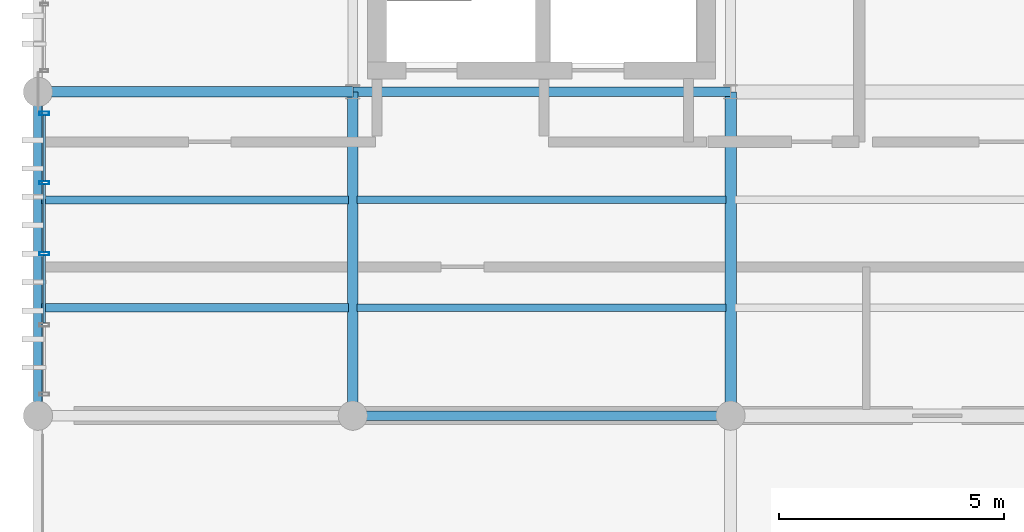
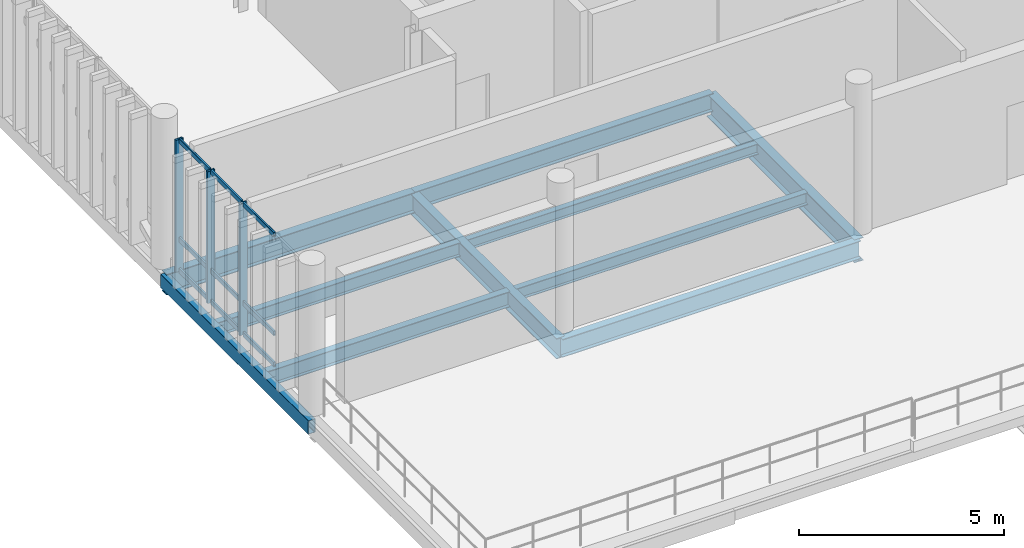
# One storey, part 7 of 66: 12 members, 10 beams, 1 element without a shape of its own.
"""IFC4 building model written with IfcOpenShell, lengths in metres."""

from ifc_helpers import new_model, si_unit, direction, frame, origin_with_axes, origin_2d_with_axis, place, context, subcontext, project, spatial, hollow_rectangle, i_section, extrude, material, material_profile, profile_set, type_object, element, aggregate, save


model = new_model("IFC4")

# Units and contexts
model_context = context("Model", 3, precision=1e-05, world=origin_with_axes(), true_north=direction((0.0, 1.0)))
body_context = subcontext(model_context, "Body", "Model", "MODEL_VIEW")
ifc_project = project(units=[si_unit("LENGTHUNIT", "METRE"), si_unit("AREAUNIT", "SQUARE_METRE"), si_unit("VOLUMEUNIT", "CUBIC_METRE"), si_unit("PLANEANGLEUNIT", "RADIAN"), si_unit("MASSUNIT", "GRAM", prefix="KILO"), si_unit("THERMODYNAMICTEMPERATUREUNIT", "KELVIN")], contexts=[model_context])

# Site, building, storey
site_placement = place(None, origin_with_axes())
site = spatial("IfcSite", under=ifc_project, at=site_placement, CompositionType="ELEMENT")
building_placement = place(site_placement, origin_with_axes())
building = spatial("IfcBuilding", under=site, at=building_placement, Name="Montbau Bow Law Courts", CompositionType="ELEMENT")
storey_placement = place(building_placement, frame((0.0, 0.0, 34.5), z_axis=(0.0, 0.0, 1.0), x_axis=(1.0, 0.0, 0.0)))
storey = spatial("IfcBuildingStorey", under=building, at=storey_placement, Name="L07", CompositionType="ELEMENT", Elevation=34.5)

# Beams
ifc_material_1 = material(Name="Steel CSA G40.21 Grade 350W (350 MPa)", Category="steel")
ifc_material_profile_1 = material_profile(ifc_material_1, i_section(OverallWidth=0.254, OverallDepth=0.688, WebThickness=0.0131, FlangeThickness=0.0211, at=origin_2d_with_axis()), Name="W690X152", Category="Main", Priority=0)
ifc_profile_set_1 = profile_set([ifc_material_profile_1], Name="Steel CSA G40.21 Grade 350W (350 MPa)")
beam_type_1 = type_object("IfcBeamType", Name="B-FLR-04", PredefinedType="BEAM", material=ifc_profile_set_1)
beam_1_placement = place(None, frame((22.2, 39.0, 33.836), z_axis=(0.0, 1.0, 0.0), x_axis=(-1.0, 0.0, 0.0)))
element("IfcBeam", 1, at=beam_1_placement, inside=storey, type_object=beam_type_1, Name="BM-L07-S0746:bm2_0749", PredefinedType="BEAM", context=body_context, shape_type="SweptSolid", body=[
    extrude(i_section(OverallWidth=0.254, OverallDepth=0.688, WebThickness=0.0131, FlangeThickness=0.0211, at=origin_2d_with_axis()), origin_with_axes(), (0.0, 0.0, 1.0), 7.2),
])
ifc_material_profile_2 = material_profile(ifc_material_1, i_section(OverallWidth=0.229, OverallDepth=0.612, WebThickness=0.0119, FlangeThickness=0.0196, at=origin_2d_with_axis()), Name="W610X125", Category="Main", Priority=0)
ifc_profile_set_2 = profile_set([ifc_material_profile_2], Name="Steel CSA G40.21 Grade 350W (350 MPa)")
beam_type_2 = type_object("IfcBeamType", Name="B-FLR-05", PredefinedType="BEAM", material=ifc_profile_set_2)
beam_2_placement = place(None, frame((6.8, 46.2, 33.894), z_axis=(1.0, 0.0, 0.0), x_axis=(0.0, 1.0, 0.0)))
element("IfcBeam", 2, at=beam_2_placement, inside=storey, type_object=beam_type_2, Name="BM-L07-S0723:bm2_0726", PredefinedType="BEAM", context=body_context, shape_type="SweptSolid", body=[
    extrude(i_section(OverallWidth=0.229, OverallDepth=0.612, WebThickness=0.0119, FlangeThickness=0.0196, at=origin_2d_with_axis()), origin_with_axes(), (0.0, 0.0, 1.0), 7.0),
])
beam_3_placement = place(None, frame((13.8, 39.0, 33.874), z_axis=(0.0, 1.0, 0.0), x_axis=(-1.0, 0.0, 0.0)))
element("IfcBeam", 3, at=beam_3_placement, inside=storey, type_object=beam_type_2, Name="BM-L07-S0742:bm2_0745", PredefinedType="BEAM", context=body_context, shape_type="SweptSolid", body=[
    extrude(i_section(OverallWidth=0.229, OverallDepth=0.612, WebThickness=0.0119, FlangeThickness=0.0196, at=origin_2d_with_axis()), origin_with_axes(), (0.0, 0.0, 1.0), 7.2),
])
ifc_material_profile_3 = material_profile(ifc_material_1, i_section(OverallWidth=0.21, OverallDepth=0.537, WebThickness=0.0109, FlangeThickness=0.0174, at=origin_2d_with_axis()), Name="W530X101", Category="Main", Priority=0)
ifc_profile_set_3 = profile_set([ifc_material_profile_3], Name="Steel CSA G40.21 Grade 350W (350 MPa)")
beam_type_3 = type_object("IfcBeamType", Name="B-FLR-06", PredefinedType="BEAM", material=ifc_profile_set_3)
for number, where, z_axis, x_axis, name in (
    (4, (13.8, 39.0, 33.911), (1.0, 0.0, 0.0), (0.0, 1.0, 0.0), "BM-L07-S0719:bm2_0722"),
    (5, (13.8, 46.2, 33.931), (1.0, 0.0, 0.0), (0.0, 1.0, 0.0), "BM-L07-S0724:bm2_0727"),
):
    element("IfcBeam", number, at=place(None, frame(where, z_axis=z_axis, x_axis=x_axis)), inside=storey, type_object=beam_type_3, Name=name, PredefinedType="BEAM", context=body_context, shape_type="SweptSolid", body=[
        extrude(i_section(OverallWidth=0.21, OverallDepth=0.537, WebThickness=0.0109, FlangeThickness=0.0174, at=origin_2d_with_axis()), origin_with_axes(), (0.0, 0.0, 1.0), 8.4),
    ])
ifc_material_profile_4 = material_profile(ifc_material_1, i_section(OverallWidth=0.191, OverallDepth=0.46, WebThickness=0.0099, FlangeThickness=0.016, at=origin_2d_with_axis()), Name="W460X82", Category="Main", Priority=0)
ifc_profile_set_4 = profile_set([ifc_material_profile_4], Name="Steel CSA G40.21 Grade 350W (350 MPa)")
beam_type_4 = type_object("IfcBeamType", Name="B-JST-01", PredefinedType="JOIST", material=ifc_profile_set_4)
beam_4_placement = place(None, frame((6.88, 41.4, 33.95), z_axis=(1.0, 0.0, 0.0), x_axis=(0.0, 1.0, 0.0)))
element("IfcBeam", 6, at=beam_4_placement, inside=storey, type_object=beam_type_4, Name="JST-L07-S0360:jst2_0360", PredefinedType="JOIST", context=body_context, shape_type="SweptSolid", body=[
    extrude(i_section(OverallWidth=0.191, OverallDepth=0.46, WebThickness=0.0099, FlangeThickness=0.016, at=origin_2d_with_axis()), origin_with_axes(), (0.0, 0.0, 1.0), 6.83),
])
ifc_material_profile_5 = material_profile(ifc_material_1, i_section(OverallWidth=0.179, OverallDepth=0.41, WebThickness=0.0088, FlangeThickness=0.0144, at=origin_2d_with_axis()), Name="W410X67", Category="Main", Priority=0)
ifc_profile_set_5 = profile_set([ifc_material_profile_5], Name="Steel CSA G40.21 Grade 350W (350 MPa)")
beam_type_5 = type_object("IfcBeamType", Name="B-JST-02", PredefinedType="JOIST", material=ifc_profile_set_5)
beam_5_placement = place(None, frame((6.88, 43.8, 33.975), z_axis=(1.0, 0.0, 0.0), x_axis=(0.0, 1.0, 0.0)))
element("IfcBeam", 7, at=beam_5_placement, inside=storey, type_object=beam_type_5, Name="JST-L07-S0361:jst2_0361", PredefinedType="JOIST", context=body_context, shape_type="SweptSolid", body=[
    extrude(i_section(OverallWidth=0.179, OverallDepth=0.41, WebThickness=0.0088, FlangeThickness=0.0144, at=origin_2d_with_axis()), origin_with_axes(), (0.0, 0.0, 1.0), 6.83),
])
ifc_material_profile_6 = material_profile(ifc_material_1, i_section(OverallWidth=0.172, OverallDepth=0.358, WebThickness=0.0079, FlangeThickness=0.0131, at=origin_2d_with_axis()), Name="W360X57", Category="Main", Priority=0)
ifc_profile_set_6 = profile_set([ifc_material_profile_6], Name="Steel CSA G40.21 Grade 350W (350 MPa)")
beam_type_6 = type_object("IfcBeamType", Name="B-JST-03", PredefinedType="JOIST", material=ifc_profile_set_6)
beam_6_placement = place(None, frame((13.891, 41.4, 34.001), z_axis=(1.0, 0.0, 0.0), x_axis=(0.0, 1.0, 0.0)))
element("IfcBeam", 8, at=beam_6_placement, inside=storey, type_object=beam_type_6, Name="JST-L07-S0366:jst2_0366", PredefinedType="JOIST", context=body_context, shape_type="SweptSolid", body=[
    extrude(i_section(OverallWidth=0.172, OverallDepth=0.358, WebThickness=0.0079, FlangeThickness=0.0131, at=origin_2d_with_axis()), origin_with_axes(), (0.0, 0.0, 1.0), 8.206),
])
ifc_material_profile_7 = material_profile(ifc_material_1, i_section(OverallWidth=0.166, OverallDepth=0.313, WebThickness=0.0066, FlangeThickness=0.0112, at=origin_2d_with_axis()), Name="W310X45", Category="Main", Priority=0)
ifc_profile_set_7 = profile_set([ifc_material_profile_7], Name="Steel CSA G40.21 Grade 350W (350 MPa)")
beam_type_7 = type_object("IfcBeamType", Name="B-JST-04", PredefinedType="JOIST", material=ifc_profile_set_7)
beam_7_placement = place(None, frame((13.891, 43.8, 34.023), z_axis=(1.0, 0.0, 0.0), x_axis=(0.0, 1.0, 0.0)))
element("IfcBeam", 9, at=beam_7_placement, inside=storey, type_object=beam_type_7, Name="JST-L07-S0367:jst2_0367", PredefinedType="JOIST", context=body_context, shape_type="SweptSolid", body=[
    extrude(i_section(OverallWidth=0.166, OverallDepth=0.313, WebThickness=0.0066, FlangeThickness=0.0112, at=origin_2d_with_axis()), origin_with_axes(), (0.0, 0.0, 1.0), 8.206),
])
ifc_material_2 = material(Name="Steel CSA G40.21 Grade 350WT (350 MPa)", Category="steel")
ifc_material_profile_8 = material_profile(ifc_material_2, hollow_rectangle(XDim=0.203, YDim=0.406, WallThickness=0.0127, InnerFilletRadius=0.0254, OuterFilletRadius=0.0127, at=origin_2d_with_axis()), Name="HSS406X203X13", Category="Main", Priority=0)
ifc_profile_set_8 = profile_set([ifc_material_profile_8], Name="Steel CSA G40.21 Grade 350WT (350 MPa)")
beam_type_8 = type_object("IfcBeamType", Name="B-SPN-01", PredefinedType="SPANDREL", material=ifc_profile_set_8)
beam_8_placement = place(None, frame((6.8, 39.0, 33.977), z_axis=(0.0, 1.0, 0.0), x_axis=(-1.0, 0.0, 0.0)))
element("IfcBeam", 10, at=beam_8_placement, inside=storey, type_object=beam_type_8, Name="SPN-L07-S0739:bm2_0742", PredefinedType="SPANDREL", context=body_context, shape_type="SweptSolid", body=[
    extrude(hollow_rectangle(XDim=0.203, YDim=0.406, WallThickness=0.0127, InnerFilletRadius=0.0254, OuterFilletRadius=0.0127, at=origin_2d_with_axis()), origin_with_axes(), (0.0, 0.0, 1.0), 7.2),
])

# Curtain wall, members
ifc_material_3 = material(Name="Thermally Broken Extruded Aluminium AA 6063-T6", Category="aluminium")
curtain_wall_type = type_object("IfcCurtainWallType", Name="CW-TRC-02", PredefinedType="NOTDEFINED", material=ifc_material_3)
curtain_wall_placement = place(None, frame((6.94, 39.44, 34.5), z_axis=(0.0, 0.0, 1.0), x_axis=(1.0, 0.0, 0.0)))
curtain_wall = element("IfcCurtainWall", 11, at=curtain_wall_placement, inside=storey, type_object=curtain_wall_type, Name="CW-L07-117:cw_0117", PredefinedType="NOTDEFINED")
ifc_material_profile_9 = material_profile(ifc_material_3, hollow_rectangle(XDim=0.075, YDim=0.22, WallThickness=0.005, InnerFilletRadius=0.01, OuterFilletRadius=0.005, at=origin_2d_with_axis()), Name="CWM-220X75", Category="Main", Priority=0)
ifc_profile_set_9 = profile_set([ifc_material_profile_9], Name="Thermally Broken Extruded Aluminium AA 6063-T6")
member_type_1 = type_object("IfcMemberType", Name="M-MUL-01", PredefinedType="MULLION", material=ifc_profile_set_9)
member_1_placement = place(None, frame((6.94, 42.6, 34.5), z_axis=(0.0, 0.0, 1.0), x_axis=(0.0, 1.0, 0.0)))
member_1 = element("IfcMember", 12, at=member_1_placement, type_object=member_type_1, Name="CW-L07-117-M03:cw_0117_M03", PredefinedType="MULLION", context=body_context, shape_type="SweptSolid", body=[
    extrude(hollow_rectangle(XDim=0.075, YDim=0.22, WallThickness=0.005, InnerFilletRadius=0.01, OuterFilletRadius=0.005, at=origin_2d_with_axis()), origin_with_axes(), (0.0, 0.0, 1.0), 3.92),
])
member_2_placement = place(None, frame((6.94, 44.18, 34.5), z_axis=(0.0, 0.0, 1.0), x_axis=(0.0, 1.0, 0.0)))
member_2 = element("IfcMember", 13, at=member_2_placement, type_object=member_type_1, Name="CW-L07-117-M04:cw_0117_M04", PredefinedType="MULLION", context=body_context, shape_type="SweptSolid", body=[
    extrude(hollow_rectangle(XDim=0.075, YDim=0.22, WallThickness=0.005, InnerFilletRadius=0.01, OuterFilletRadius=0.005, at=origin_2d_with_axis()), origin_with_axes(), (0.0, 0.0, 1.0), 3.92),
])
member_3_placement = place(None, frame((6.94, 45.723, 34.5), z_axis=(0.0, 0.0, 1.0), x_axis=(0.0, 1.0, 0.0)))
member_3 = element("IfcMember", 14, at=member_3_placement, type_object=member_type_1, Name="CW-L07-117-M05:cw_0117_M05", PredefinedType="MULLION", context=body_context, shape_type="SweptSolid", body=[
    extrude(hollow_rectangle(XDim=0.075, YDim=0.22, WallThickness=0.005, InnerFilletRadius=0.01, OuterFilletRadius=0.005, at=origin_2d_with_axis()), origin_with_axes(), (0.0, 0.0, 1.0), 3.92),
])
ifc_material_profile_10 = material_profile(ifc_material_3, hollow_rectangle(XDim=0.055, YDim=0.14, WallThickness=0.004, InnerFilletRadius=0.008, OuterFilletRadius=0.004, at=origin_2d_with_axis()), Name="CWT-140X55", Category="Main", Priority=0)
ifc_profile_set_10 = profile_set([ifc_material_profile_10], Name="Thermally Broken Extruded Aluminium AA 6063-T6")
member_type_2 = type_object("IfcMemberType", Name="M-TRN-02", PredefinedType="USERDEFINED", material=ifc_profile_set_10)
member_4_placement = place(None, frame((6.94, 41.06, 34.528), z_axis=(0.0, 1.0, 0.0), x_axis=(-1.0, 0.0, 0.0)))
member_4 = element("IfcMember", 15, at=member_4_placement, type_object=member_type_2, Name="CW-L07-117-T02-1:cw_0117_T02_1", ObjectType="TRANSOM", PredefinedType="USERDEFINED", context=body_context, shape_type="SweptSolid", body=[
    extrude(hollow_rectangle(XDim=0.055, YDim=0.14, WallThickness=0.004, InnerFilletRadius=0.008, OuterFilletRadius=0.004, at=origin_2d_with_axis()), origin_with_axes(), (0.0, 0.0, 1.0), 1.501),
])
member_5_placement = place(None, frame((6.94, 41.06, 35.45), z_axis=(0.0, 1.0, 0.0), x_axis=(-1.0, 0.0, 0.0)))
member_5 = element("IfcMember", 16, at=member_5_placement, type_object=member_type_2, Name="CW-L07-117-T02-2:cw_0117_T02_2", ObjectType="TRANSOM", PredefinedType="USERDEFINED", context=body_context, shape_type="SweptSolid", body=[
    extrude(hollow_rectangle(XDim=0.055, YDim=0.14, WallThickness=0.004, InnerFilletRadius=0.008, OuterFilletRadius=0.004, at=origin_2d_with_axis()), origin_with_axes(), (0.0, 0.0, 1.0), 1.501),
])
member_6_placement = place(None, frame((6.94, 41.06, 38.392), z_axis=(0.0, 1.0, 0.0), x_axis=(-1.0, 0.0, 0.0)))
member_6 = element("IfcMember", 17, at=member_6_placement, type_object=member_type_2, Name="CW-L07-117-T02-3:cw_0117_T02_3", ObjectType="TRANSOM", PredefinedType="USERDEFINED", context=body_context, shape_type="SweptSolid", body=[
    extrude(hollow_rectangle(XDim=0.055, YDim=0.14, WallThickness=0.004, InnerFilletRadius=0.008, OuterFilletRadius=0.004, at=origin_2d_with_axis()), origin_with_axes(), (0.0, 0.0, 1.0), 1.501),
])
member_7_placement = place(None, frame((6.94, 42.64, 34.528), z_axis=(0.0, 1.0, 0.0), x_axis=(-1.0, 0.0, 0.0)))
member_7 = element("IfcMember", 18, at=member_7_placement, type_object=member_type_2, Name="CW-L07-117-T03-1:cw_0117_T03_1", ObjectType="TRANSOM", PredefinedType="USERDEFINED", context=body_context, shape_type="SweptSolid", body=[
    extrude(hollow_rectangle(XDim=0.055, YDim=0.14, WallThickness=0.004, InnerFilletRadius=0.008, OuterFilletRadius=0.004, at=origin_2d_with_axis()), origin_with_axes(), (0.0, 0.0, 1.0), 1.501),
])
member_8_placement = place(None, frame((6.94, 42.64, 35.45), z_axis=(0.0, 1.0, 0.0), x_axis=(-1.0, 0.0, 0.0)))
member_8 = element("IfcMember", 19, at=member_8_placement, type_object=member_type_2, Name="CW-L07-117-T03-2:cw_0117_T03_2", ObjectType="TRANSOM", PredefinedType="USERDEFINED", context=body_context, shape_type="SweptSolid", body=[
    extrude(hollow_rectangle(XDim=0.055, YDim=0.14, WallThickness=0.004, InnerFilletRadius=0.008, OuterFilletRadius=0.004, at=origin_2d_with_axis()), origin_with_axes(), (0.0, 0.0, 1.0), 1.501),
])
member_9_placement = place(None, frame((6.94, 42.64, 38.392), z_axis=(0.0, 1.0, 0.0), x_axis=(-1.0, 0.0, 0.0)))
member_9 = element("IfcMember", 20, at=member_9_placement, type_object=member_type_2, Name="CW-L07-117-T03-3:cw_0117_T03_3", ObjectType="TRANSOM", PredefinedType="USERDEFINED", context=body_context, shape_type="SweptSolid", body=[
    extrude(hollow_rectangle(XDim=0.055, YDim=0.14, WallThickness=0.004, InnerFilletRadius=0.008, OuterFilletRadius=0.004, at=origin_2d_with_axis()), origin_with_axes(), (0.0, 0.0, 1.0), 1.501),
])
member_10_placement = place(None, frame((6.94, 44.219, 34.528), z_axis=(0.0, 1.0, 0.0), x_axis=(-1.0, 0.0, 0.0)))
member_10 = element("IfcMember", 21, at=member_10_placement, type_object=member_type_2, Name="CW-L07-117-T04-1:cw_0117_T04_1", ObjectType="TRANSOM", PredefinedType="USERDEFINED", context=body_context, shape_type="SweptSolid", body=[
    extrude(hollow_rectangle(XDim=0.055, YDim=0.14, WallThickness=0.004, InnerFilletRadius=0.008, OuterFilletRadius=0.004, at=origin_2d_with_axis()), origin_with_axes(), (0.0, 0.0, 1.0), 1.465),
])
member_11_placement = place(None, frame((6.94, 44.219, 35.45), z_axis=(0.0, 1.0, 0.0), x_axis=(-1.0, 0.0, 0.0)))
member_11 = element("IfcMember", 22, at=member_11_placement, type_object=member_type_2, Name="CW-L07-117-T04-2:cw_0117_T04_2", ObjectType="TRANSOM", PredefinedType="USERDEFINED", context=body_context, shape_type="SweptSolid", body=[
    extrude(hollow_rectangle(XDim=0.055, YDim=0.14, WallThickness=0.004, InnerFilletRadius=0.008, OuterFilletRadius=0.004, at=origin_2d_with_axis()), origin_with_axes(), (0.0, 0.0, 1.0), 1.465),
])
member_12_placement = place(None, frame((6.94, 44.219, 38.392), z_axis=(0.0, 1.0, 0.0), x_axis=(-1.0, 0.0, 0.0)))
member_12 = element("IfcMember", 23, at=member_12_placement, type_object=member_type_2, Name="CW-L07-117-T04-3:cw_0117_T04_3", ObjectType="TRANSOM", PredefinedType="USERDEFINED", context=body_context, shape_type="SweptSolid", body=[
    extrude(hollow_rectangle(XDim=0.055, YDim=0.14, WallThickness=0.004, InnerFilletRadius=0.008, OuterFilletRadius=0.004, at=origin_2d_with_axis()), origin_with_axes(), (0.0, 0.0, 1.0), 1.465),
])
aggregate(curtain_wall, [member_1, member_2, member_3, member_4, member_5, member_6, member_7, member_8, member_9, member_10, member_11, member_12])

save(model, "model.ifc")
